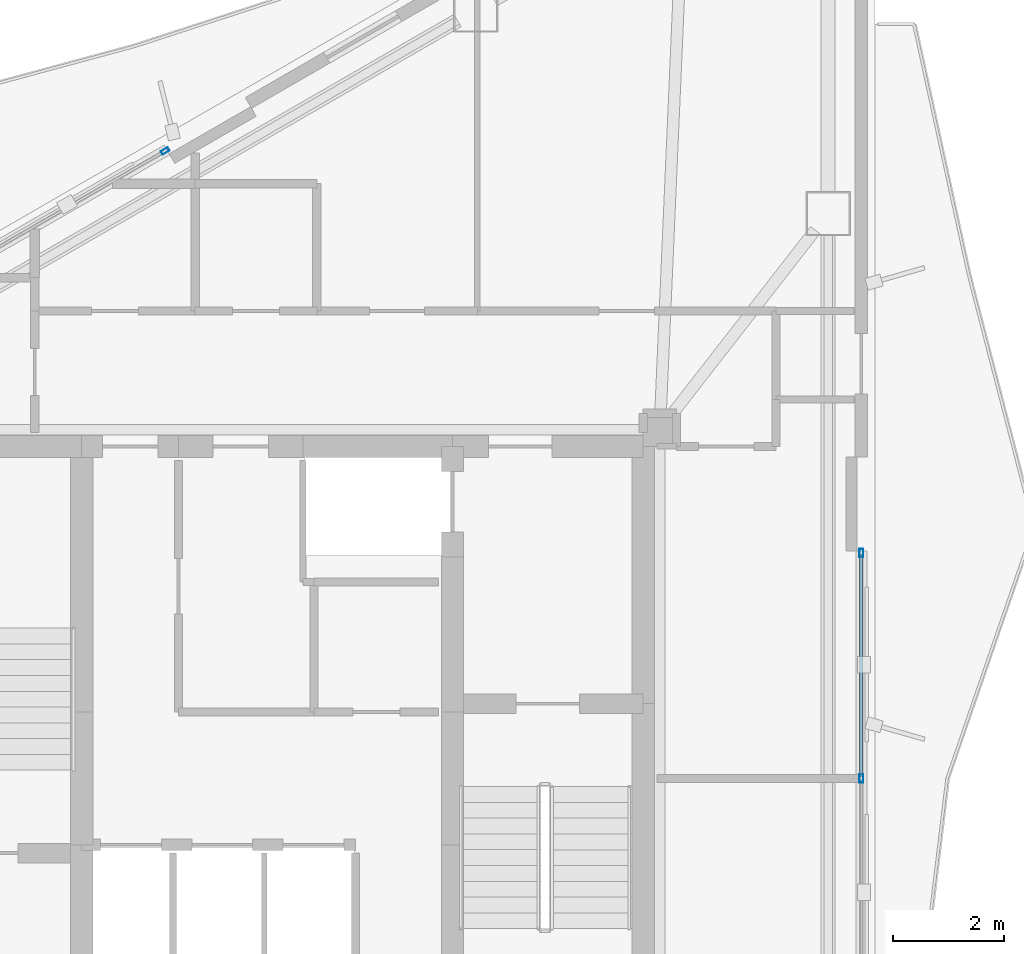
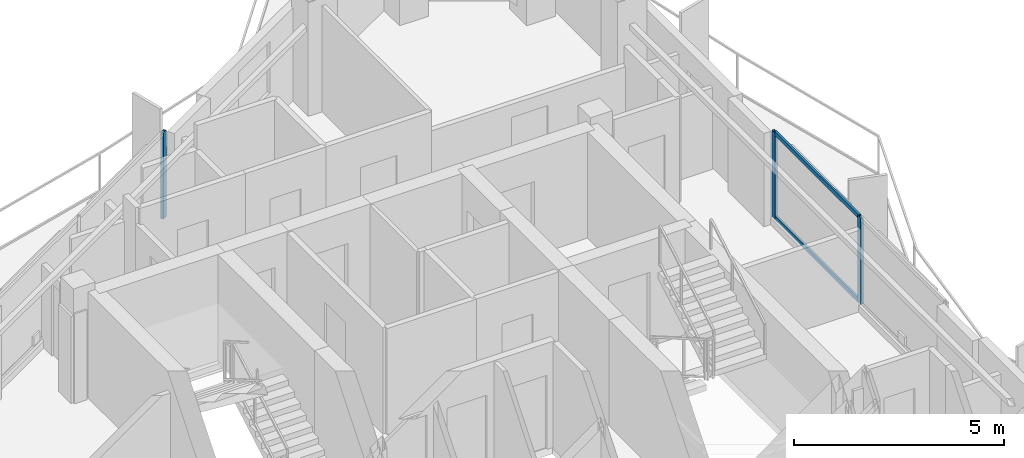
# One storey, part 12 of 18: 5 members, 2 elements without a shape of their own.
"""IFC4 building model written with IfcOpenShell, lengths in metres."""

import ifcopenshell
import ifcopenshell.guid

model = None  # the IFC model being written
_history = None  # IfcOwnerHistory: only IFC2X3 demands one
_inside = {}  # id of a spatial element -> (the spatial element, [elements in it])
_under = {}  # id of a project, library or spatial element -> (it, [spatial elements below it])
_declared = {}  # id of a project -> (the project, [libraries it declares])
_typed = {}  # id of a type object -> (the type object, [elements of that type])
_made_of = {}  # id of a material, layer set ... -> (it, [elements and type objects made of it])


def new_model(schema):
    """Start an empty IFC model of exactly this schema.

    Asked for "IFC4X3", IfcOpenShell would pick the latest addendum, in which some entities
    have other attributes; the version numbers below select the first issue.
    IFC2X3 requires an IfcOwnerHistory on every rooted entity: one is made here for all.
    """
    global model, _history
    if schema == "IFC4X3":
        model = ifcopenshell.file(schema_version=(4, 3, 0, 0))
    else:
        model = ifcopenshell.file(schema=schema)
    _inside.clear()
    _under.clear()
    _declared.clear()
    _typed.clear()
    _made_of.clear()
    _history = None
    if model.schema == "IFC2X3":
        org = make("IfcOrganization", Name="unknown")
        user = make(
            "IfcPersonAndOrganization",
            ThePerson=make("IfcPerson", FamilyName="unknown"),
            TheOrganization=org,
        )
        app = make(
            "IfcApplication",
            ApplicationDeveloper=org,
            Version="unknown",
            ApplicationFullName="unknown",
            ApplicationIdentifier="unknown",
        )
        _history = make(
            "IfcOwnerHistory",
            OwningUser=user,
            OwningApplication=app,
            ChangeAction="ADDED",
            CreationDate=0,
        )
    return model


def make(cls, **values):
    """One entity of the class cls with the attributes given. An attribute that is None is left unset."""
    return model.create_entity(
        cls, **{name: value for name, value in values.items() if value is not None}
    )


def rooted(cls, **values):
    """An entity with a GlobalId (a new one), such as an element, a storey or a relation."""
    return make(cls, GlobalId=ifcopenshell.guid.new(), OwnerHistory=_history, **values)


def si_unit(unit_type, name, prefix=None):
    """IfcSIUnit, for example si_unit("LENGTHUNIT", "METRE", prefix="MILLI")."""
    return make("IfcSIUnit", UnitType=unit_type, Prefix=prefix, Name=name)


def assignment(units):
    """IfcUnitAssignment: the units of a project."""
    return None if units is None else make("IfcUnitAssignment", Units=units)


def point(xyz):
    """IfcCartesianPoint."""
    return None if xyz is None else make("IfcCartesianPoint", Coordinates=xyz)


def direction(xyz):
    """IfcDirection."""
    return None if xyz is None else make("IfcDirection", DirectionRatios=xyz)


def frame(location, z_axis=None, x_axis=None):
    """IfcAxis2Placement3D, a coordinate frame: its origin and axes. An axis left out is left unset."""
    return make(
        "IfcAxis2Placement3D",
        Location=point(location),
        Axis=direction(z_axis),
        RefDirection=direction(x_axis),
    )


def frame_2d(location, x_axis=None):
    """IfcAxis2Placement2D, a coordinate frame in the plane: its origin and x axis."""
    return make(
        "IfcAxis2Placement2D", Location=point(location), RefDirection=direction(x_axis)
    )


def origin():
    """The frame at (0, 0, 0) with its axes left unset."""
    return frame((0.0, 0.0, 0.0))


def origin_2d():
    """The frame at (0, 0) in the plane with its x axis left unset."""
    return frame_2d((0.0, 0.0))


def place(relative_to, where):
    """IfcLocalPlacement: puts the frame where relative to a parent placement (None: the world)."""
    return make(
        "IfcLocalPlacement", PlacementRelTo=relative_to, RelativePlacement=where
    )


def context(
    kind, dimensions, precision=None, world=None, true_north=None, identifier=None
):
    """IfcGeometricRepresentationContext, for example the 3D "Model" context."""
    return make(
        "IfcGeometricRepresentationContext",
        ContextIdentifier=identifier,
        ContextType=kind,
        CoordinateSpaceDimension=dimensions,
        Precision=precision,
        WorldCoordinateSystem=world,
        TrueNorth=true_north,
    )


def subcontext(parent, identifier, kind, view, scale=None):
    """IfcGeometricRepresentationSubContext, for example "Body" below "Model"."""
    return make(
        "IfcGeometricRepresentationSubContext",
        ContextIdentifier=identifier,
        ContextType=kind,
        ParentContext=parent,
        TargetScale=scale,
        TargetView=view,
    )


def project(units=None, contexts=None):
    """IfcProject with its units and contexts."""
    return rooted(
        "IfcProject",
        Name="project",
        RepresentationContexts=contexts,
        UnitsInContext=assignment(units),
    )


def spatial(cls, under=None, at=None, **own):
    """A site, building, storey or space (cls), placed at a placement, below another one or the project."""
    s = rooted(cls, ObjectPlacement=at, **own)
    if under is not None:
        _under.setdefault(under.id(), (under, []))[1].append(s)
    return s


def profile(cls, at=None, kind="AREA", **sizes):
    """A parametric profile (cls). Its sizes go by their IFC names, for example OverallWidth=200.0."""
    return make(cls, ProfileType=kind, Position=at, **sizes)


def hollow_rectangle(**sizes):
    """IfcRectangleHollowProfileDef."""
    return profile("IfcRectangleHollowProfileDef", **sizes)


def extrude(swept, where, along, depth):
    """IfcExtrudedAreaSolid: the profile swept, set in the frame where, extruded along a direction by depth."""
    return make(
        "IfcExtrudedAreaSolid",
        SweptArea=swept,
        Position=where,
        ExtrudedDirection=direction(along),
        Depth=depth,
    )


def shape(context_of_items, identifier, shape_type, items):
    """IfcShapeRepresentation: the items that make up one representation, for example the "Body"."""
    return make(
        "IfcShapeRepresentation",
        ContextOfItems=context_of_items,
        RepresentationIdentifier=identifier,
        RepresentationType=shape_type,
        Items=items,
    )


def material(Name=None, Category=None):
    """IfcMaterial."""
    return make("IfcMaterial", Name=Name, Category=Category)


def layer(
    of_material, thickness, ventilated=None, Name=None, Category=None, Priority=None
):
    """IfcMaterialLayer: one layer of a wall or slab, of a material (None: an air gap)."""
    return make(
        "IfcMaterialLayer",
        Material=of_material,
        LayerThickness=thickness,
        IsVentilated=ventilated,
        Name=Name,
        Category=Category,
        Priority=Priority,
    )


def layer_set(layers, Name=None):
    """IfcMaterialLayerSet."""
    return make("IfcMaterialLayerSet", MaterialLayers=layers, LayerSetName=Name)


def material_profile(
    of_material, cross_section, Name=None, Category=None, Priority=None
):
    """IfcMaterialProfile: a cross section and its material."""
    return make(
        "IfcMaterialProfile",
        Name=Name,
        Material=of_material,
        Profile=cross_section,
        Priority=Priority,
        Category=Category,
    )


def profile_set(profiles, Name=None, composite=None):
    """IfcMaterialProfileSet."""
    return make(
        "IfcMaterialProfileSet",
        Name=Name,
        MaterialProfiles=profiles,
        CompositeProfile=composite,
    )


def made_of(thing, what):
    """Note that an element or type object is made of a material, layer set ...; save() writes the relation."""
    if what is not None:
        _made_of.setdefault(what.id(), (what, []))[1].append(thing)
    return thing


def type_object(cls, material=None, **own):
    """A type object (cls), such as IfcWallType, which elements share."""
    return made_of(rooted(cls, **own), material)


def element(
    cls,
    number,
    at=None,
    inside=None,
    cuts=None,
    type_object=None,
    material=None,
    context=None,
    identifier="Body",
    shape_type=None,
    held_by="IfcProductDefinitionShape",
    body=None,
    shapes=None,
    **own,
):
    """One element of the class cls, such as IfcWall. Its Tag is "e" and its number.

    at: its placement. inside: the storey or other place that contains it. cuts: it is an
    opening in that element (IfcRelVoidsElement). A single representation is given by context,
    identifier, shape_type and body (its items); several are given by shapes. held_by: the class
    of the entity that holds the representations. save() writes the other relations.
    """
    e = rooted(cls, Tag="e%d" % number, ObjectPlacement=at, **own)
    if body is not None:
        shapes = [shape(context, identifier, shape_type, body)]
    if shapes is not None:
        e.Representation = make(held_by, Representations=shapes)
    if inside is not None:
        _inside.setdefault(inside.id(), (inside, []))[1].append(e)
    if cuts is not None:
        rooted(
            "IfcRelVoidsElement", RelatingBuildingElement=cuts, RelatedOpeningElement=e
        )
    if type_object is not None:
        _typed.setdefault(type_object.id(), (type_object, []))[1].append(e)
    return made_of(e, material)


def aggregate(whole, parts):
    """IfcRelAggregates: a whole, such as a stair, and the parts it consists of."""
    return rooted("IfcRelAggregates", RelatingObject=whole, RelatedObjects=parts)


def save(model, path):
    """Write the relations noted so far, then the file.

    IfcRelAggregates (storeys below a building ...), IfcRelContainedInSpatialStructure (elements
    in a storey), IfcRelDefinesByType, IfcRelAssociatesMaterial and IfcRelDeclares: one each for
    every whole, place, type object, material and project.
    """
    for whole, parts in _under.values():
        aggregate(whole, parts)
    for where, things in _inside.values():
        rooted(
            "IfcRelContainedInSpatialStructure",
            RelatedElements=things,
            RelatingStructure=where,
        )
    for kind, things in _typed.values():
        rooted("IfcRelDefinesByType", RelatedObjects=things, RelatingType=kind)
    for what, things in _made_of.values():
        rooted("IfcRelAssociatesMaterial", RelatedObjects=things, RelatingMaterial=what)
    for by, libraries in _declared.values():
        rooted("IfcRelDeclares", RelatingContext=by, RelatedDefinitions=libraries)
    model.write(path)


model = new_model("IFC4")

# Units and contexts
model_context = context("Model", 3, precision=1e-05, world=origin(), true_north=direction((0.0, 1.0)))
body_context = subcontext(model_context, "Body", "Model", "MODEL_VIEW")
ifc_project = project(units=[si_unit("LENGTHUNIT", "METRE"), si_unit("AREAUNIT", "SQUARE_METRE"), si_unit("VOLUMEUNIT", "CUBIC_METRE"), si_unit("PLANEANGLEUNIT", "RADIAN"), si_unit("MASSUNIT", "GRAM", prefix="KILO")], contexts=[model_context])

# Site, building, storey
site_placement = place(None, origin())
site = spatial("IfcSite", under=ifc_project, at=site_placement, CompositionType="ELEMENT")
building_placement = place(site_placement, origin())
building = spatial("IfcBuilding", under=site, at=building_placement, Name="Mersakhor Tower and Convention Hall", CompositionType="ELEMENT")
storey_placement = place(building_placement, frame((0.0, 0.0, 239.699951171875)))
storey = spatial("IfcBuildingStorey", under=building, at=storey_placement, Name="L67", CompositionType="ELEMENT", Elevation=239.699951171875)

# Curtain wall, member
ifc_material_1 = material(Name="Dark solar low-E aluminium curtain wall", Category="aluminium")
ifc_layer = layer(ifc_material_1, 0.179931640625)
ifc_layer_set = layer_set([ifc_layer], Name="Dark solar low-E aluminium curtain wall")
curtain_wall_type = type_object("IfcCurtainWallType", Name="CW-SYS-03", PredefinedType="USERDEFINED", material=ifc_layer_set)
curtain_wall_1_placement = place(storey_placement, origin())
curtain_wall_1 = element("IfcCurtainWall", 1, at=curtain_wall_1_placement, inside=storey, type_object=curtain_wall_type, Name="L67 Dark-Glass Curtain Wall F1-B2", ObjectType="CURTAIN WALL", PredefinedType="USERDEFINED")
ifc_material_2 = material(Name="Anodised aluminium EN AW-6063 T6", Category="aluminium")
ifc_material_profile_1 = material_profile(ifc_material_2, hollow_rectangle(XDim=0.074951171875, YDim=0.14990234375, WallThickness=0.00634765625, at=origin_2d()), Name="RHS 150x75x6.3")
ifc_profile_set_1 = profile_set([ifc_material_profile_1], Name="Anodised aluminium EN AW-6063 T6")
member_type_1 = type_object("IfcMemberType", Name="CWM-150x75", PredefinedType="MULLION", material=ifc_profile_set_1)
member_1_placement = place(storey_placement, frame((27.158935546875, 38.091796875, 0.199951171875), z_axis=(0.0, 0.0, 1.0), x_axis=(-0.500004411169, 0.86602285698, 0.0)))
member_1 = element("IfcMember", 2, at=member_1_placement, type_object=member_type_1, Name="CW-03 mullion 3", PredefinedType="MULLION", context=body_context, shape_type="SweptSolid", body=[
    extrude(hollow_rectangle(XDim=0.074951171875, YDim=0.14990234375, WallThickness=0.00634765625, at=origin_2d()), origin(), (0.0, 0.0, 1.0), 2.5),
])
aggregate(curtain_wall_1, [member_1])

# Curtain wall, members
curtain_wall_2_placement = place(storey_placement, origin())
curtain_wall_2 = element("IfcCurtainWall", 3, at=curtain_wall_2_placement, inside=storey, type_object=curtain_wall_type, Name="L67 Dark-Glass Curtain Wall F2-B2", ObjectType="CURTAIN WALL", PredefinedType="USERDEFINED")
member_2_placement = place(storey_placement, frame((39.742919921875, 30.826416015625, 0.199951171875), z_axis=(0.0, 0.0, 1.0), x_axis=(1.0, 0.0, 0.0)))
member_2 = element("IfcMember", 4, at=member_2_placement, type_object=member_type_1, Name="CW-03 mullion 1", PredefinedType="MULLION", context=body_context, shape_type="SweptSolid", body=[
    extrude(hollow_rectangle(XDim=0.074951171875, YDim=0.14990234375, WallThickness=0.00634765625, at=origin_2d()), origin(), (0.0, 0.0, 1.0), 2.5),
])
member_3_placement = place(storey_placement, frame((39.742919921875, 26.75, 0.199951171875), z_axis=(0.0, 0.0, 1.0), x_axis=(1.0, 0.0, 0.0)))
member_3 = element("IfcMember", 5, at=member_3_placement, type_object=member_type_1, Name="CW-03 mullion 2", PredefinedType="MULLION", context=body_context, shape_type="SweptSolid", body=[
    extrude(hollow_rectangle(XDim=0.074951171875, YDim=0.14990234375, WallThickness=0.00634765625, at=origin_2d()), origin(), (0.0, 0.0, 1.0), 2.5),
])
ifc_material_3 = material(Name="Anodised aluminium EN AW-6063 T6", Category="aluminium")
ifc_material_profile_2 = material_profile(ifc_material_3, hollow_rectangle(XDim=0.06005859375, YDim=0.1201171875, WallThickness=0.0048828125, at=origin_2d()), Name="RHS 120x60x5")
ifc_profile_set_2 = profile_set([ifc_material_profile_2], Name="Anodised aluminium EN AW-6063 T6")
member_type_2 = type_object("IfcMemberType", Name="CWT-120x60", PredefinedType="USERDEFINED", material=ifc_profile_set_2)
member_4_placement = place(storey_placement, frame((39.742919921875, 30.788818359375, 0.22998046875), z_axis=(0.0, -1.0, 0.0), x_axis=(1.0, 0.0, 0.0)))
member_4 = element("IfcMember", 6, at=member_4_placement, type_object=member_type_2, Name="CW-03 transom 1.1", ObjectType="TRANSOM", PredefinedType="USERDEFINED", context=body_context, shape_type="SweptSolid", body=[
    extrude(hollow_rectangle(XDim=0.06005859375, YDim=0.1201171875, WallThickness=0.0048828125, at=origin_2d()), origin(), (0.0, 0.0, 1.0), 4.001220703125),
])
member_5_placement = place(storey_placement, frame((39.742919921875, 30.788818359375, 2.670166015625), z_axis=(0.0, -1.0, 0.0), x_axis=(1.0, 0.0, 0.0)))
member_5 = element("IfcMember", 7, at=member_5_placement, type_object=member_type_2, Name="CW-03 transom 1.2", ObjectType="TRANSOM", PredefinedType="USERDEFINED", context=body_context, shape_type="SweptSolid", body=[
    extrude(hollow_rectangle(XDim=0.06005859375, YDim=0.1201171875, WallThickness=0.0048828125, at=origin_2d()), origin(), (0.0, 0.0, 1.0), 4.001220703125),
])
aggregate(curtain_wall_2, [member_2, member_3, member_4, member_5])

save(model, "model.ifc")
